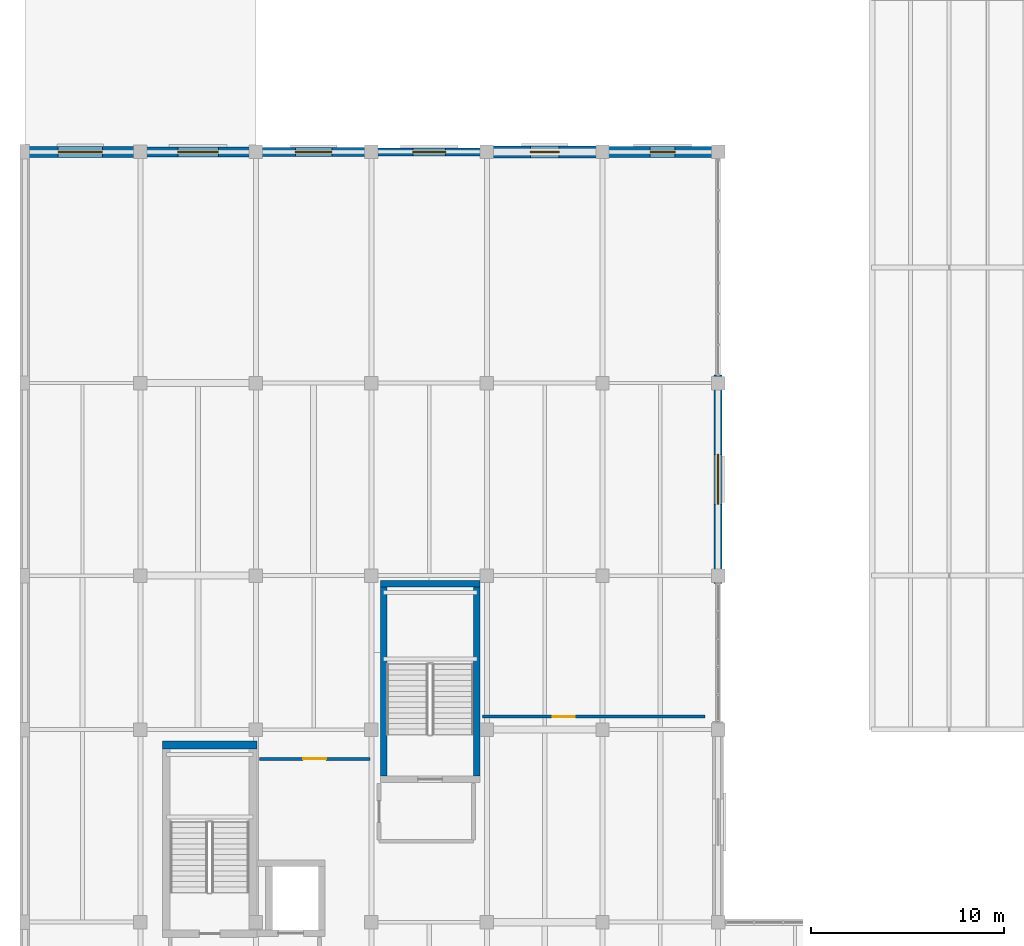
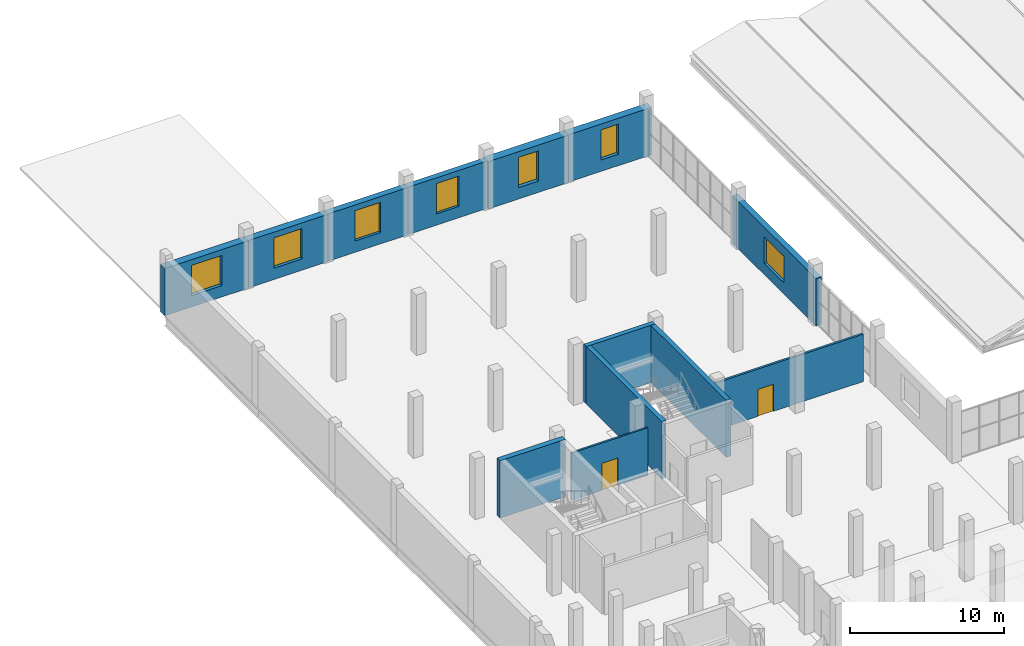
# One storey, part 101 of 114: 13 walls, 7 windows, 2 doors, 9 openings.
"""IFC4 building model written with IfcOpenShell, lengths in metres."""

import ifcopenshell
import ifcopenshell.guid

model = None  # the IFC model being written
_history = None  # IfcOwnerHistory: only IFC2X3 demands one
_inside = {}  # id of a spatial element -> (the spatial element, [elements in it])
_under = {}  # id of a project, library or spatial element -> (it, [spatial elements below it])
_declared = {}  # id of a project -> (the project, [libraries it declares])
_typed = {}  # id of a type object -> (the type object, [elements of that type])
_made_of = {}  # id of a material, layer set ... -> (it, [elements and type objects made of it])


def new_model(schema):
    """Start an empty IFC model of exactly this schema.

    Asked for "IFC4X3", IfcOpenShell would pick the latest addendum, in which some entities
    have other attributes; the version numbers below select the first issue.
    IFC2X3 requires an IfcOwnerHistory on every rooted entity: one is made here for all.
    """
    global model, _history
    if schema == "IFC4X3":
        model = ifcopenshell.file(schema_version=(4, 3, 0, 0))
    else:
        model = ifcopenshell.file(schema=schema)
    _inside.clear()
    _under.clear()
    _declared.clear()
    _typed.clear()
    _made_of.clear()
    _history = None
    if model.schema == "IFC2X3":
        org = make("IfcOrganization", Name="unknown")
        user = make(
            "IfcPersonAndOrganization",
            ThePerson=make("IfcPerson", FamilyName="unknown"),
            TheOrganization=org,
        )
        app = make(
            "IfcApplication",
            ApplicationDeveloper=org,
            Version="unknown",
            ApplicationFullName="unknown",
            ApplicationIdentifier="unknown",
        )
        _history = make(
            "IfcOwnerHistory",
            OwningUser=user,
            OwningApplication=app,
            ChangeAction="ADDED",
            CreationDate=0,
        )
    return model


def make(cls, **values):
    """One entity of the class cls with the attributes given. An attribute that is None is left unset."""
    return model.create_entity(
        cls, **{name: value for name, value in values.items() if value is not None}
    )


def rooted(cls, **values):
    """An entity with a GlobalId (a new one), such as an element, a storey or a relation."""
    return make(cls, GlobalId=ifcopenshell.guid.new(), OwnerHistory=_history, **values)


def si_unit(unit_type, name, prefix=None):
    """IfcSIUnit, for example si_unit("LENGTHUNIT", "METRE", prefix="MILLI")."""
    return make("IfcSIUnit", UnitType=unit_type, Prefix=prefix, Name=name)


def assignment(units):
    """IfcUnitAssignment: the units of a project."""
    return None if units is None else make("IfcUnitAssignment", Units=units)


def point(xyz):
    """IfcCartesianPoint."""
    return None if xyz is None else make("IfcCartesianPoint", Coordinates=xyz)


def direction(xyz):
    """IfcDirection."""
    return None if xyz is None else make("IfcDirection", DirectionRatios=xyz)


def frame(location, z_axis=None, x_axis=None):
    """IfcAxis2Placement3D, a coordinate frame: its origin and axes. An axis left out is left unset."""
    return make(
        "IfcAxis2Placement3D",
        Location=point(location),
        Axis=direction(z_axis),
        RefDirection=direction(x_axis),
    )


def frame_2d(location, x_axis=None):
    """IfcAxis2Placement2D, a coordinate frame in the plane: its origin and x axis."""
    return make(
        "IfcAxis2Placement2D", Location=point(location), RefDirection=direction(x_axis)
    )


def origin():
    """The frame at (0, 0, 0) with its axes left unset."""
    return frame((0.0, 0.0, 0.0))


def place(relative_to, where):
    """IfcLocalPlacement: puts the frame where relative to a parent placement (None: the world)."""
    return make(
        "IfcLocalPlacement", PlacementRelTo=relative_to, RelativePlacement=where
    )


def context(
    kind, dimensions, precision=None, world=None, true_north=None, identifier=None
):
    """IfcGeometricRepresentationContext, for example the 3D "Model" context."""
    return make(
        "IfcGeometricRepresentationContext",
        ContextIdentifier=identifier,
        ContextType=kind,
        CoordinateSpaceDimension=dimensions,
        Precision=precision,
        WorldCoordinateSystem=world,
        TrueNorth=true_north,
    )


def subcontext(parent, identifier, kind, view, scale=None):
    """IfcGeometricRepresentationSubContext, for example "Body" below "Model"."""
    return make(
        "IfcGeometricRepresentationSubContext",
        ContextIdentifier=identifier,
        ContextType=kind,
        ParentContext=parent,
        TargetScale=scale,
        TargetView=view,
    )


def project(units=None, contexts=None):
    """IfcProject with its units and contexts."""
    return rooted(
        "IfcProject",
        Name="project",
        RepresentationContexts=contexts,
        UnitsInContext=assignment(units),
    )


def spatial(cls, under=None, at=None, **own):
    """A site, building, storey or space (cls), placed at a placement, below another one or the project."""
    s = rooted(cls, ObjectPlacement=at, **own)
    if under is not None:
        _under.setdefault(under.id(), (under, []))[1].append(s)
    return s


def profile(cls, at=None, kind="AREA", **sizes):
    """A parametric profile (cls). Its sizes go by their IFC names, for example OverallWidth=200.0."""
    return make(cls, ProfileType=kind, Position=at, **sizes)


def rectangle(**sizes):
    """IfcRectangleProfileDef."""
    return profile("IfcRectangleProfileDef", **sizes)


def extrude(swept, where, along, depth):
    """IfcExtrudedAreaSolid: the profile swept, set in the frame where, extruded along a direction by depth."""
    return make(
        "IfcExtrudedAreaSolid",
        SweptArea=swept,
        Position=where,
        ExtrudedDirection=direction(along),
        Depth=depth,
    )


def shape(context_of_items, identifier, shape_type, items):
    """IfcShapeRepresentation: the items that make up one representation, for example the "Body"."""
    return make(
        "IfcShapeRepresentation",
        ContextOfItems=context_of_items,
        RepresentationIdentifier=identifier,
        RepresentationType=shape_type,
        Items=items,
    )


def material(Name=None, Category=None):
    """IfcMaterial."""
    return make("IfcMaterial", Name=Name, Category=Category)


def layer(
    of_material, thickness, ventilated=None, Name=None, Category=None, Priority=None
):
    """IfcMaterialLayer: one layer of a wall or slab, of a material (None: an air gap)."""
    return make(
        "IfcMaterialLayer",
        Material=of_material,
        LayerThickness=thickness,
        IsVentilated=ventilated,
        Name=Name,
        Category=Category,
        Priority=Priority,
    )


def layer_set(layers, Name=None):
    """IfcMaterialLayerSet."""
    return make("IfcMaterialLayerSet", MaterialLayers=layers, LayerSetName=Name)


def made_of(thing, what):
    """Note that an element or type object is made of a material, layer set ...; save() writes the relation."""
    if what is not None:
        _made_of.setdefault(what.id(), (what, []))[1].append(thing)
    return thing


def type_object(cls, material=None, **own):
    """A type object (cls), such as IfcWallType, which elements share."""
    return made_of(rooted(cls, **own), material)


def element(
    cls,
    number,
    at=None,
    inside=None,
    cuts=None,
    type_object=None,
    material=None,
    context=None,
    identifier="Body",
    shape_type=None,
    held_by="IfcProductDefinitionShape",
    body=None,
    shapes=None,
    **own,
):
    """One element of the class cls, such as IfcWall. Its Tag is "e" and its number.

    at: its placement. inside: the storey or other place that contains it. cuts: it is an
    opening in that element (IfcRelVoidsElement). A single representation is given by context,
    identifier, shape_type and body (its items); several are given by shapes. held_by: the class
    of the entity that holds the representations. save() writes the other relations.
    """
    e = rooted(cls, Tag="e%d" % number, ObjectPlacement=at, **own)
    if body is not None:
        shapes = [shape(context, identifier, shape_type, body)]
    if shapes is not None:
        e.Representation = make(held_by, Representations=shapes)
    if inside is not None:
        _inside.setdefault(inside.id(), (inside, []))[1].append(e)
    if cuts is not None:
        rooted(
            "IfcRelVoidsElement", RelatingBuildingElement=cuts, RelatedOpeningElement=e
        )
    if type_object is not None:
        _typed.setdefault(type_object.id(), (type_object, []))[1].append(e)
    return made_of(e, material)


def fill(opening, filler):
    """IfcRelFillsElement: the door or window that sits in an opening."""
    return rooted(
        "IfcRelFillsElement",
        RelatingOpeningElement=opening,
        RelatedBuildingElement=filler,
    )


def aggregate(whole, parts):
    """IfcRelAggregates: a whole, such as a stair, and the parts it consists of."""
    return rooted("IfcRelAggregates", RelatingObject=whole, RelatedObjects=parts)


def save(model, path):
    """Write the relations noted so far, then the file.

    IfcRelAggregates (storeys below a building ...), IfcRelContainedInSpatialStructure (elements
    in a storey), IfcRelDefinesByType, IfcRelAssociatesMaterial and IfcRelDeclares: one each for
    every whole, place, type object, material and project.
    """
    for whole, parts in _under.values():
        aggregate(whole, parts)
    for where, things in _inside.values():
        rooted(
            "IfcRelContainedInSpatialStructure",
            RelatedElements=things,
            RelatingStructure=where,
        )
    for kind, things in _typed.values():
        rooted("IfcRelDefinesByType", RelatedObjects=things, RelatingType=kind)
    for what, things in _made_of.values():
        rooted("IfcRelAssociatesMaterial", RelatedObjects=things, RelatingMaterial=what)
    for by, libraries in _declared.values():
        rooted("IfcRelDeclares", RelatingContext=by, RelatedDefinitions=libraries)
    model.write(path)


model = new_model("IFC4")

# Units and contexts
model_context = context("Model", 3, precision=1e-05, world=origin(), true_north=direction((0.0, 1.0)))
body_context = subcontext(model_context, "Body", "Model", "MODEL_VIEW")
ifc_project = project(units=[si_unit("LENGTHUNIT", "METRE"), si_unit("AREAUNIT", "SQUARE_METRE"), si_unit("VOLUMEUNIT", "CUBIC_METRE"), si_unit("PLANEANGLEUNIT", "RADIAN"), si_unit("MASSUNIT", "GRAM", prefix="KILO")], contexts=[model_context])

# Site, building, storey
site_placement = place(None, origin())
site = spatial("IfcSite", under=ifc_project, at=site_placement, CompositionType="ELEMENT")
building_placement = place(site_placement, origin())
building = spatial("IfcBuilding", under=site, at=building_placement, Name="Verrall Gate Interchange", CompositionType="ELEMENT")
storey_placement = place(building_placement, frame((0.0, 0.0, 6.60009765625)))
storey = spatial("IfcBuildingStorey", under=building, at=storey_placement, Name="L02", CompositionType="ELEMENT", Elevation=6.60009765625)

# Wall, opening, window
ifc_material_1 = material(Name="Tyndall Dolomitic Limestone Ashlar Cavity Assembly (U=0.18)", Category="masonry")
ifc_layer_1 = layer(ifc_material_1, 0.419921875)
ifc_layer_set_1 = layer_set([ifc_layer_1], Name="Tyndall Dolomitic Limestone Ashlar Cavity Assembly (U=0.18)")
wall_type_1 = type_object("IfcWallType", Name="EW-01 Exterior Solid Wall 420", PredefinedType="SOLIDWALL", material=ifc_layer_set_1)
wall_1_placement = place(storey_placement, frame((36.0, 73.580078125, 0.0), z_axis=(0.0, 0.0, 1.0), x_axis=(0.0, 1.0, 0.0)))
wall_1 = element("IfcWall", 1, at=wall_1_placement, inside=storey, type_object=wall_type_1, Name="L02 Classical Limestone Facade Wall 073", PredefinedType="SOLIDWALL", context=body_context, shape_type="SweptSolid", body=[
    extrude(rectangle(XDim=10.83984375, YDim=0.419921875, at=frame_2d((5.419921875, 0.0))), origin(), (0.0, 0.0, 1.0), 3.7568359375),
])
opening_1_placement = place(wall_1_placement, frame((4.1201171875, 0.0, 0.89990234375)))
opening_1 = element("IfcOpeningElement", 2, at=opening_1_placement, cuts=wall_1, Name="Opening WN-16", PredefinedType="OPENING", context=body_context, shape_type="SweptSolid", body=[
    extrude(rectangle(XDim=2.60009765625, YDim=2.10009765625, at=frame_2d((1.300048828125, 1.050048828125))), frame((0.0, 0.224853515625, 0.0), z_axis=(0.0, -1.0, 0.0), x_axis=(1.0, 0.0, 0.0)), (0.0, 0.0, 1.0), 0.44970703125),
])
ifc_material_2 = material(Name="Triple-Glazed Low-E Argon Bronze-Clad Window Unit (U=1.40)", Category="glass")
window_type_1 = type_object("IfcWindowType", Name="WN-16 Classical Deep-Reveal Window 2600x2100", PartitioningType="SINGLE_PANEL", PredefinedType="WINDOW", material=ifc_material_2)
window_1_placement = place(opening_1_placement, origin())
window_1 = element("IfcWindow", 3, at=window_1_placement, inside=storey, type_object=window_type_1, Name="L02 Classical Window 031 (WN-16)", OverallHeight=2.10009765625, OverallWidth=2.60009765625, PartitioningType="SINGLE_PANEL", PredefinedType="WINDOW", context=body_context, shape_type="SweptSolid", body=[
    extrude(rectangle(XDim=2.60009765625, YDim=2.10009765625, at=frame_2d((1.300048828125, 1.050048828125))), frame((0.0, 0.030029296875, 0.0), z_axis=(0.0, -1.0, 0.0), x_axis=(1.0, 0.0, 0.0)), (0.0, 0.0, 1.0), 0.06005859375),
])
fill(opening_1, window_1)

wall_2_placement = place(storey_placement, frame((24.008056640625, 96.0, 0.0), z_axis=(0.0, 0.0, 1.0), x_axis=(-1.0, 0.0, 0.0)))
wall_2 = element("IfcWall", 4, at=wall_2_placement, inside=storey, type_object=wall_type_1, Name="L02 Classical Limestone Facade Wall 076", PredefinedType="SOLIDWALL", context=body_context, shape_type="SweptSolid", body=[
    extrude(rectangle(XDim=6.01611328125, YDim=0.419921875, at=frame_2d((3.008056640625, 0.0))), origin(), (0.0, 0.0, 1.0), 3.7568359375),
])
opening_2_placement = place(wall_2_placement, frame((2.157958984375, 0.0, 0.89990234375)))
opening_2 = element("IfcOpeningElement", 5, at=opening_2_placement, cuts=wall_2, Name="Opening WN-19", PredefinedType="OPENING", context=body_context, shape_type="SweptSolid", body=[
    extrude(rectangle(XDim=1.699951171875, YDim=2.39990234375, at=frame_2d((0.85009765625, 1.199951171875))), frame((0.0, 0.224853515625, 0.0), z_axis=(0.0, -1.0, 0.0), x_axis=(1.0, 0.0, 0.0)), (0.0, 0.0, 1.0), 0.44970703125),
])
ifc_material_3 = material(Name="Triple-Glazed Low-E Argon Bronze-Clad Window Unit (U=1.40)", Category="glass")
window_type_2 = type_object("IfcWindowType", Name="WN-19 Classical Deep-Reveal Window 1700x2400", PartitioningType="SINGLE_PANEL", PredefinedType="WINDOW", material=ifc_material_3)
window_2_placement = place(opening_2_placement, origin())
window_2 = element("IfcWindow", 6, at=window_2_placement, inside=storey, type_object=window_type_2, Name="L02 Classical Window 034 (WN-19)", OverallHeight=2.39990234375, OverallWidth=1.699951171875, PartitioningType="SINGLE_PANEL", PredefinedType="WINDOW", context=body_context, shape_type="SweptSolid", body=[
    extrude(rectangle(XDim=1.699951171875, YDim=2.39990234375, at=frame_2d((0.85009765625, 1.199951171875))), frame((0.0, 0.030029296875, 0.0), z_axis=(0.0, -1.0, 0.0), x_axis=(1.0, 0.0, 0.0)), (0.0, 0.0, 1.0), 0.06005859375),
])
fill(opening_2, window_2)

ifc_material_4 = material(Name="Tyndall Dolomitic Limestone Ashlar Cavity Assembly (U=0.18)", Category="masonry")
ifc_layer_2 = layer(ifc_material_4, 0.4599609375)
ifc_layer_set_2 = layer_set([ifc_layer_2], Name="Tyndall Dolomitic Limestone Ashlar Cavity Assembly (U=0.18)")
wall_type_2 = type_object("IfcWallType", Name="EW-02 Exterior Solid Wall 460", PredefinedType="SOLIDWALL", material=ifc_layer_set_2)
wall_3_placement = place(storey_placement, frame((18.008056640625, 96.0, 0.0), z_axis=(0.0, 0.0, 1.0), x_axis=(-1.0, 0.0, 0.0)))
wall_3 = element("IfcWall", 7, at=wall_3_placement, inside=storey, type_object=wall_type_2, Name="L02 Classical Limestone Facade Wall 077", PredefinedType="SOLIDWALL", context=body_context, shape_type="SweptSolid", body=[
    extrude(rectangle(XDim=6.01611328125, YDim=0.4599609375, at=frame_2d((3.008056640625, 0.0))), origin(), (0.0, 0.0, 1.0), 3.7568359375),
])
opening_3_placement = place(wall_3_placement, frame((2.05810546875, 0.0, 0.89990234375)))
opening_3 = element("IfcOpeningElement", 8, at=opening_3_placement, cuts=wall_3, Name="Opening WN-20", PredefinedType="OPENING", context=body_context, shape_type="SweptSolid", body=[
    extrude(rectangle(XDim=1.89990234375, YDim=2.39990234375, at=frame_2d((0.949951171875, 1.199951171875))), frame((0.0, 0.244873046875, 0.0), z_axis=(0.0, -1.0, 0.0), x_axis=(1.0, 0.0, 0.0)), (0.0, 0.0, 1.0), 0.48974609375),
])
ifc_material_5 = material(Name="Triple-Glazed Low-E Argon Bronze-Clad Window Unit (U=1.40)", Category="glass")
window_type_3 = type_object("IfcWindowType", Name="WN-20 Classical Deep-Reveal Window 1900x2400", PartitioningType="SINGLE_PANEL", PredefinedType="WINDOW", material=ifc_material_5)
window_3_placement = place(opening_3_placement, origin())
window_3 = element("IfcWindow", 9, at=window_3_placement, inside=storey, type_object=window_type_3, Name="L02 Classical Window 035 (WN-20)", OverallHeight=2.39990234375, OverallWidth=1.89990234375, PartitioningType="SINGLE_PANEL", PredefinedType="WINDOW", context=body_context, shape_type="SweptSolid", body=[
    extrude(rectangle(XDim=1.89990234375, YDim=2.39990234375, at=frame_2d((0.949951171875, 1.199951171875))), frame((0.0, 0.030029296875, 0.0), z_axis=(0.0, -1.0, 0.0), x_axis=(1.0, 0.0, 0.0)), (0.0, 0.0, 1.0), 0.06005859375),
])
fill(opening_3, window_3)

ifc_material_6 = material(Name="Prairie Charcoal Granite Plinth Rainscreen Assembly (U=0.18)", Category="masonry")
ifc_layer_3 = layer(ifc_material_6, 0.52001953125)
ifc_layer_set_3 = layer_set([ifc_layer_3], Name="Prairie Charcoal Granite Plinth Rainscreen Assembly (U=0.18)")
wall_type_3 = type_object("IfcWallType", Name="EW-03 Exterior Solid Wall 520", PredefinedType="SOLIDWALL", material=ifc_layer_set_3)
wall_4_placement = place(storey_placement, frame((12.008056640625, 96.0, 0.0), z_axis=(0.0, 0.0, 1.0), x_axis=(-1.0, 0.0, 0.0)))
wall_4 = element("IfcWall", 10, at=wall_4_placement, inside=storey, type_object=wall_type_3, Name="L02 Classical Limestone Facade Wall 078", PredefinedType="SOLIDWALL", context=body_context, shape_type="SweptSolid", body=[
    extrude(rectangle(XDim=6.01611328125, YDim=0.52001953125, at=frame_2d((3.008056640625, 0.0))), origin(), (0.0, 0.0, 1.0), 3.7568359375),
])
opening_4_placement = place(wall_4_placement, frame((1.9580078125, 0.0, 0.89990234375)))
opening_4 = element("IfcOpeningElement", 11, at=opening_4_placement, cuts=wall_4, Name="Opening WN-21", PredefinedType="OPENING", context=body_context, shape_type="SweptSolid", body=[
    extrude(rectangle(XDim=2.10009765625, YDim=2.39990234375, at=frame_2d((1.050048828125, 1.199951171875))), frame((0.0, 0.27490234375, 0.0), z_axis=(0.0, -1.0, 0.0), x_axis=(1.0, 0.0, 0.0)), (0.0, 0.0, 1.0), 0.5498046875),
])
ifc_material_7 = material(Name="Triple-Glazed Low-E Argon Bronze-Clad Window Unit (U=1.40)", Category="glass")
window_type_4 = type_object("IfcWindowType", Name="WN-21 Classical Deep-Reveal Window 2100x2400", PartitioningType="SINGLE_PANEL", PredefinedType="WINDOW", material=ifc_material_7)
window_4_placement = place(opening_4_placement, origin())
window_4 = element("IfcWindow", 12, at=window_4_placement, inside=storey, type_object=window_type_4, Name="L02 Classical Window 036 (WN-21)", OverallHeight=2.39990234375, OverallWidth=2.10009765625, PartitioningType="SINGLE_PANEL", PredefinedType="WINDOW", context=body_context, shape_type="SweptSolid", body=[
    extrude(rectangle(XDim=2.10009765625, YDim=2.39990234375, at=frame_2d((1.050048828125, 1.199951171875))), frame((0.0, 0.030029296875, 0.0), z_axis=(0.0, -1.0, 0.0), x_axis=(1.0, 0.0, 0.0)), (0.0, 0.0, 1.0), 0.06005859375),
])
fill(opening_4, window_4)

ifc_material_8 = material(Name="Tyndall Dolomitic Limestone Ashlar Cavity Assembly (U=0.18)", Category="masonry")
ifc_layer_4 = layer(ifc_material_8, 0.56005859375)
ifc_layer_set_4 = layer_set([ifc_layer_4], Name="Tyndall Dolomitic Limestone Ashlar Cavity Assembly (U=0.18)")
wall_type_4 = type_object("IfcWallType", Name="EW-04 Exterior Solid Wall 560", PredefinedType="SOLIDWALL", material=ifc_layer_set_4)
wall_5_placement = place(storey_placement, frame((36.25, 96.0, 0.0), z_axis=(0.0, 0.0, 1.0), x_axis=(-1.0, 0.0, 0.0)))
wall_5 = element("IfcWall", 13, at=wall_5_placement, inside=storey, type_object=wall_type_4, Name="L02 Classical Limestone Facade Wall 074", PredefinedType="SOLIDWALL", context=body_context, shape_type="SweptSolid", body=[
    extrude(rectangle(XDim=6.258056640625, YDim=0.56005859375, at=frame_2d((3.12890625, 0.0))), origin(), (0.0, 0.0, 1.0), 3.7568359375),
])
opening_5_placement = place(wall_5_placement, frame((2.47900390625, 0.0, 0.89990234375)))
opening_5 = element("IfcOpeningElement", 14, at=opening_5_placement, cuts=wall_5, Name="Opening WN-17", PredefinedType="OPENING", context=body_context, shape_type="SweptSolid", body=[
    extrude(rectangle(XDim=1.300048828125, YDim=2.39990234375, at=frame_2d((0.64990234375, 1.199951171875))), frame((0.0, 0.294921875, 0.0), z_axis=(0.0, -1.0, 0.0), x_axis=(1.0, 0.0, 0.0)), (0.0, 0.0, 1.0), 0.58984375),
])
ifc_material_9 = material(Name="Triple-Glazed Low-E Argon Bronze-Clad Window Unit (U=1.40)", Category="glass")
window_type_5 = type_object("IfcWindowType", Name="WN-17 Classical Deep-Reveal Window 1300x2400", PartitioningType="SINGLE_PANEL", PredefinedType="WINDOW", material=ifc_material_9)
window_5_placement = place(opening_5_placement, origin())
window_5 = element("IfcWindow", 15, at=window_5_placement, inside=storey, type_object=window_type_5, Name="L02 Classical Window 032 (WN-17)", OverallHeight=2.39990234375, OverallWidth=1.300048828125, PartitioningType="SINGLE_PANEL", PredefinedType="WINDOW", context=body_context, shape_type="SweptSolid", body=[
    extrude(rectangle(XDim=1.300048828125, YDim=2.39990234375, at=frame_2d((0.64990234375, 1.199951171875))), frame((0.0, 0.030029296875, 0.0), z_axis=(0.0, -1.0, 0.0), x_axis=(1.0, 0.0, 0.0)), (0.0, 0.0, 1.0), 0.06005859375),
])
fill(opening_5, window_5)

wall_6_placement = place(storey_placement, frame((6.008056640625, 96.0, 0.0), z_axis=(0.0, 0.0, 1.0), x_axis=(-1.0, 0.0, 0.0)))
wall_6 = element("IfcWall", 16, at=wall_6_placement, inside=storey, type_object=wall_type_4, Name="L02 Classical Limestone Facade Wall 079", PredefinedType="SOLIDWALL", context=body_context, shape_type="SweptSolid", body=[
    extrude(rectangle(XDim=6.258056640625, YDim=0.56005859375, at=frame_2d((3.12890625, 0.0))), origin(), (0.0, 0.0, 1.0), 3.7568359375),
])
opening_6_placement = place(wall_6_placement, frame((1.97900390625, 0.0, 0.89990234375)))
opening_6 = element("IfcOpeningElement", 17, at=opening_6_placement, cuts=wall_6, Name="Opening WN-22", PredefinedType="OPENING", context=body_context, shape_type="SweptSolid", body=[
    extrude(rectangle(XDim=2.300048828125, YDim=2.39990234375, at=frame_2d((1.14990234375, 1.199951171875))), frame((0.0, 0.294921875, 0.0), z_axis=(0.0, -1.0, 0.0), x_axis=(1.0, 0.0, 0.0)), (0.0, 0.0, 1.0), 0.58984375),
])
ifc_material_10 = material(Name="Triple-Glazed Low-E Argon Bronze-Clad Window Unit (U=1.40)", Category="glass")
window_type_6 = type_object("IfcWindowType", Name="WN-22 Classical Deep-Reveal Window 2300x2400", PartitioningType="SINGLE_PANEL", PredefinedType="WINDOW", material=ifc_material_10)
window_6_placement = place(opening_6_placement, origin())
window_6 = element("IfcWindow", 18, at=window_6_placement, inside=storey, type_object=window_type_6, Name="L02 Classical Window 037 (WN-22)", OverallHeight=2.39990234375, OverallWidth=2.300048828125, PartitioningType="SINGLE_PANEL", PredefinedType="WINDOW", context=body_context, shape_type="SweptSolid", body=[
    extrude(rectangle(XDim=2.300048828125, YDim=2.39990234375, at=frame_2d((1.14990234375, 1.199951171875))), frame((0.0, 0.030029296875, 0.0), z_axis=(0.0, -1.0, 0.0), x_axis=(1.0, 0.0, 0.0)), (0.0, 0.0, 1.0), 0.06005859375),
])
fill(opening_6, window_6)

ifc_material_11 = material(Name="Prairie Charcoal Granite Plinth Rainscreen Assembly (U=0.18)", Category="masonry")
ifc_layer_5 = layer(ifc_material_11, 0.6201171875)
ifc_layer_set_5 = layer_set([ifc_layer_5], Name="Prairie Charcoal Granite Plinth Rainscreen Assembly (U=0.18)")
wall_type_5 = type_object("IfcWallType", Name="EW-05 Exterior Solid Wall 620", PredefinedType="SOLIDWALL", material=ifc_layer_set_5)
wall_7_placement = place(storey_placement, frame((30.008056640625, 96.0, 0.0), z_axis=(0.0, 0.0, 1.0), x_axis=(-1.0, 0.0, 0.0)))
wall_7 = element("IfcWall", 19, at=wall_7_placement, inside=storey, type_object=wall_type_5, Name="L02 Classical Limestone Facade Wall 075", PredefinedType="SOLIDWALL", context=body_context, shape_type="SweptSolid", body=[
    extrude(rectangle(XDim=6.01611328125, YDim=0.6201171875, at=frame_2d((3.008056640625, 0.0))), origin(), (0.0, 0.0, 1.0), 3.7568359375),
])
opening_7_placement = place(wall_7_placement, frame((2.258056640625, 0.0, 0.89990234375)))
opening_7 = element("IfcOpeningElement", 20, at=opening_7_placement, cuts=wall_7, Name="Opening WN-18", PredefinedType="OPENING", context=body_context, shape_type="SweptSolid", body=[
    extrude(rectangle(XDim=1.5, YDim=2.39990234375, at=frame_2d((0.75, 1.199951171875))), frame((0.0, 0.324951171875, 0.0), z_axis=(0.0, -1.0, 0.0), x_axis=(1.0, 0.0, 0.0)), (0.0, 0.0, 1.0), 0.64990234375),
])
ifc_material_12 = material(Name="Triple-Glazed Low-E Argon Bronze-Clad Window Unit (U=1.40)", Category="glass")
window_type_7 = type_object("IfcWindowType", Name="WN-18 Classical Deep-Reveal Window 1500x2400", PartitioningType="SINGLE_PANEL", PredefinedType="WINDOW", material=ifc_material_12)
window_7_placement = place(opening_7_placement, origin())
window_7 = element("IfcWindow", 21, at=window_7_placement, inside=storey, type_object=window_type_7, Name="L02 Classical Window 033 (WN-18)", OverallHeight=2.39990234375, OverallWidth=1.5, PartitioningType="SINGLE_PANEL", PredefinedType="WINDOW", context=body_context, shape_type="SweptSolid", body=[
    extrude(rectangle(XDim=1.5, YDim=2.39990234375, at=frame_2d((0.75, 1.199951171875))), frame((0.0, 0.030029296875, 0.0), z_axis=(0.0, -1.0, 0.0), x_axis=(1.0, 0.0, 0.0)), (0.0, 0.0, 1.0), 0.06005859375),
])
fill(opening_7, window_7)

# Wall, opening, door
ifc_material_13 = material(Name="Fire-Rated Type X Gypsum Stud Partition Assembly (60 min)", Category="gypsum")
ifc_layer_6 = layer(ifc_material_13, 0.159912109375)
ifc_layer_set_6 = layer_set([ifc_layer_6], Name="Fire-Rated Type X Gypsum Stud Partition Assembly (60 min)")
wall_type_6 = type_object("IfcWallType", Name="IW-02 Interior Partition Wall 160", PredefinedType="PARTITIONING", material=ifc_layer_set_6)
wall_8_placement = place(storey_placement, frame((35.320068359375, 66.679931640625, 0.0), z_axis=(0.0, 0.0, 1.0), x_axis=(-1.0, 0.0, 0.0)))
wall_8 = element("IfcWall", 22, at=wall_8_placement, inside=storey, type_object=wall_type_6, Name="L02 Bus Dispatch Control Office Partition 038", PredefinedType="PARTITIONING", context=body_context, shape_type="SweptSolid", body=[
    extrude(rectangle(XDim=11.5400390625, YDim=0.159912109375, at=frame_2d((5.77001953125, 0.0))), origin(), (0.0, 0.0, 1.0), 3.7568359375),
])
opening_8_placement = place(wall_8_placement, frame((6.760009765625, 0.0, 0.0)))
opening_8 = element("IfcOpeningElement", 23, at=opening_8_placement, cuts=wall_8, Name="Opening D031", PredefinedType="OPENING", context=body_context, shape_type="SweptSolid", body=[
    extrude(rectangle(XDim=1.139892578125, YDim=2.14990234375, at=frame_2d((0.56982421875, 1.074951171875))), frame((0.0, 0.0947265625, 0.0), z_axis=(0.0, -1.0, 0.0), x_axis=(1.0, 0.0, 0.0)), (0.0, 0.0, 1.0), 0.189697265625),
])
ifc_material_14 = material(Name="Architectural Solid-Core Birch Acoustic Door Assembly", Category="wood")
door_type_1 = type_object("IfcDoorType", Name="ID-14 Interior Swing Door 1140x2150", OperationType="NOTDEFINED", PredefinedType="DOOR", material=ifc_material_14)
door_1_placement = place(opening_8_placement, origin())
door_1 = element("IfcDoor", 24, at=door_1_placement, inside=storey, type_object=door_type_1, Name="L02 Bus Dispatch Control Office Door D031", OperationType="SINGLE_SWING_RIGHT", OverallHeight=2.14990234375, OverallWidth=1.139892578125, PredefinedType="DOOR", context=body_context, shape_type="SweptSolid", body=[
    extrude(rectangle(XDim=1.139892578125, YDim=2.14990234375, at=frame_2d((0.56982421875, 1.074951171875))), frame((0.0, 0.02490234375, 0.0), z_axis=(0.0, -1.0, 0.0), x_axis=(1.0, 0.0, 0.0)), (0.0, 0.0, 1.0), 0.050048828125),
])
fill(opening_8, door_1)

ifc_material_15 = material(Name="Acoustic Steel-Stud Partition Assembly", Category="steel")
ifc_layer_7 = layer(ifc_material_15, 0.139892578125)
ifc_layer_set_7 = layer_set([ifc_layer_7], Name="Acoustic Steel-Stud Partition Assembly")
wall_type_7 = type_object("IfcWallType", Name="IW-03 Interior Partition Wall 140", PredefinedType="PARTITIONING", material=ifc_layer_set_7)
wall_9_placement = place(storey_placement, frame((17.919921875, 64.47998046875, 0.0), z_axis=(0.0, 0.0, 1.0), x_axis=(-1.0, 0.0, 0.0)))
wall_9 = element("IfcWall", 25, at=wall_9_placement, inside=storey, type_object=wall_type_7, Name="L02 Operator Crew Relief Lounge Partition 039", PredefinedType="PARTITIONING", context=body_context, shape_type="SweptSolid", body=[
    extrude(rectangle(XDim=5.739990234375, YDim=0.139892578125, at=frame_2d((2.8701171875, 0.0))), origin(), (0.0, 0.0, 1.0), 3.7568359375),
])
opening_9_placement = place(wall_9_placement, frame((2.27001953125, 0.0, 0.0)))
opening_9 = element("IfcOpeningElement", 26, at=opening_9_placement, cuts=wall_9, Name="Opening D032", PredefinedType="OPENING", context=body_context, shape_type="SweptSolid", body=[
    extrude(rectangle(XDim=1.199951171875, YDim=2.14990234375, at=frame_2d((0.60009765625, 1.074951171875))), frame((0.0, 0.0849609375, 0.0), z_axis=(0.0, -1.0, 0.0), x_axis=(1.0, 0.0, 0.0)), (0.0, 0.0, 1.0), 0.169677734375),
])
ifc_material_16 = material(Name="Architectural Solid-Core Birch Acoustic Door Assembly", Category="wood")
door_type_2 = type_object("IfcDoorType", Name="ID-15 Interior Swing Door 1200x2150", OperationType="NOTDEFINED", PredefinedType="DOOR", material=ifc_material_16)
door_2_placement = place(opening_9_placement, origin())
door_2 = element("IfcDoor", 27, at=door_2_placement, inside=storey, type_object=door_type_2, Name="L02 Operator Crew Relief Lounge Door D032", OperationType="SINGLE_SWING_LEFT", OverallHeight=2.14990234375, OverallWidth=1.199951171875, PredefinedType="DOOR", context=body_context, shape_type="SweptSolid", body=[
    extrude(rectangle(XDim=1.199951171875, YDim=2.14990234375, at=frame_2d((0.60009765625, 1.074951171875))), frame((0.0, 0.02490234375, 0.0), z_axis=(0.0, -1.0, 0.0), x_axis=(1.0, 0.0, 0.0)), (0.0, 0.0, 1.0), 0.050048828125),
])
fill(opening_9, door_2)

# Walls
ifc_material_17 = material(Name="Concrete CSA A23.1 40 MPa (Class N)", Category="concrete")
ifc_layer_8 = layer(ifc_material_17, 0.39990234375)
ifc_layer_set_8 = layer_set([ifc_layer_8], Name="Concrete CSA A23.1 40 MPa (Class N)")
wall_type_8 = type_object("IfcWallType", Name="SW-01 Core Shear Wall 400", PredefinedType="SHEAR", material=ifc_layer_set_8)
wall_10_placement = place(storey_placement, frame((12.050048828125, 65.199951171875, 0.0), z_axis=(0.0, 0.0, 1.0), x_axis=(-1.0, 0.0, 0.0)))
element("IfcWall", 28, at=wall_10_placement, inside=storey, type_object=wall_type_8, Name="L02 Core C3 North Shear Wall", PredefinedType="SHEAR", context=body_context, shape_type="SweptSolid", body=[
    extrude(rectangle(XDim=4.900146484375, YDim=0.39990234375, at=frame_2d((2.4501953125, 0.0))), origin(), (0.0, 0.0, 1.0), 4.539794921875),
])
ifc_material_18 = material(Name="Concrete CSA A23.1 40 MPa (Class N)", Category="concrete")
ifc_layer_9 = layer(ifc_material_18, 0.340087890625)
ifc_layer_set_9 = layer_set([ifc_layer_9], Name="Concrete CSA A23.1 40 MPa (Class N)")
wall_type_9 = type_object("IfcWallType", Name="SW-02 Core Shear Wall 340", PredefinedType="SHEAR", material=ifc_layer_set_9)
wall_11_placement = place(storey_placement, frame((23.639892578125, 73.570068359375, 0.0), z_axis=(0.0, 0.0, 1.0), x_axis=(-1.0, 0.0, 0.0)))
element("IfcWall", 29, at=wall_11_placement, inside=storey, type_object=wall_type_9, Name="L02 Core C4 North Shear Wall", PredefinedType="SHEAR", context=body_context, shape_type="SweptSolid", body=[
    extrude(rectangle(XDim=5.179931640625, YDim=0.340087890625, at=frame_2d((2.58984375, 0.0))), origin(), (0.0, 0.0, 1.0), 4.539794921875),
])
for number, where, z_axis, x_axis, name in (
    (30, (18.6298828125, 73.39990234375, 0.0), (0.0, 0.0, 1.0), (0.0, -1.0, 0.0), "L02 Core C4 West Shear Wall"),
    (31, (23.469970703125, 63.60009765625, 0.0), (0.0, 0.0, 1.0), (0.0, 1.0, 0.0), "L02 Core C4 East Shear Wall"),
):
    element("IfcWall", number, at=place(storey_placement, frame(where, z_axis=z_axis, x_axis=x_axis)), inside=storey, type_object=wall_type_9, Name=name, PredefinedType="SHEAR", context=body_context, shape_type="SweptSolid", body=[
        extrude(rectangle(XDim=9.7998046875, YDim=0.340087890625, at=frame_2d((4.89990234375, 0.0))), origin(), (0.0, 0.0, 1.0), 4.539794921875),
    ])

save(model, "model.ifc")
